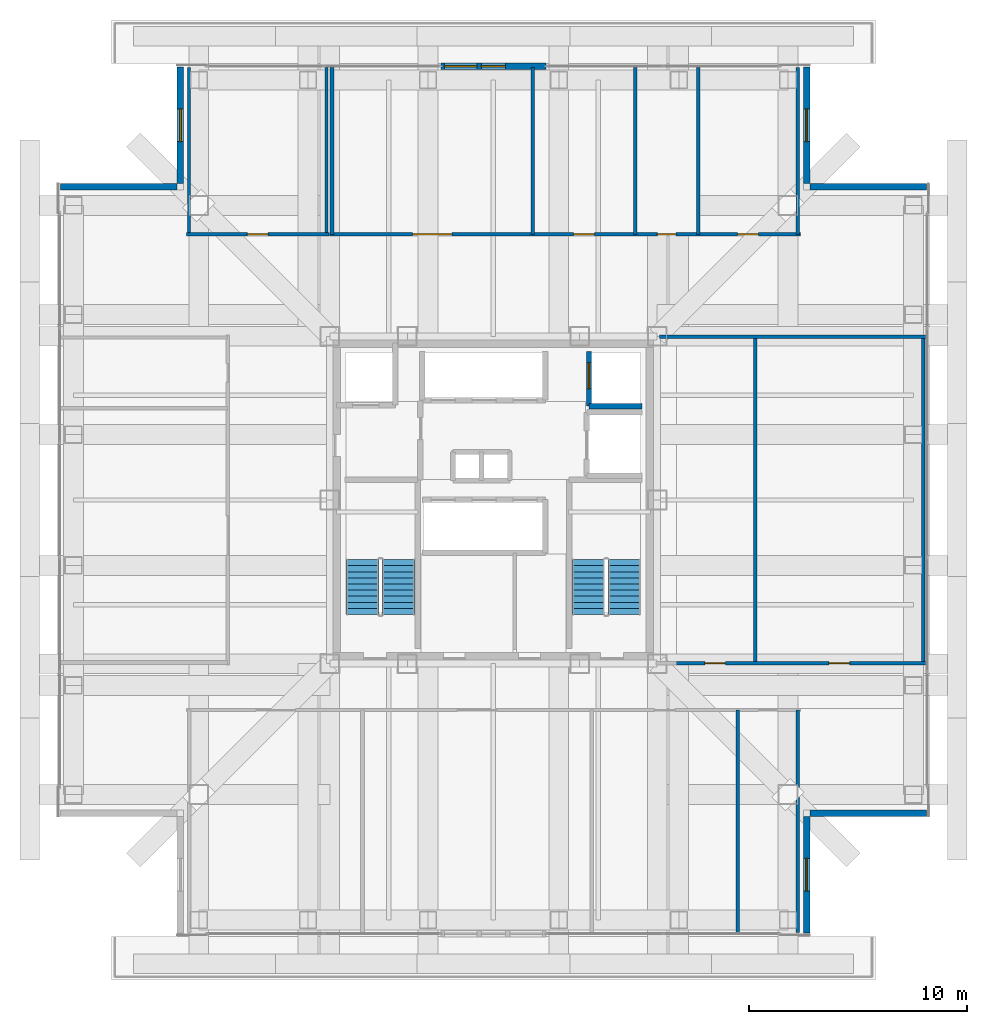
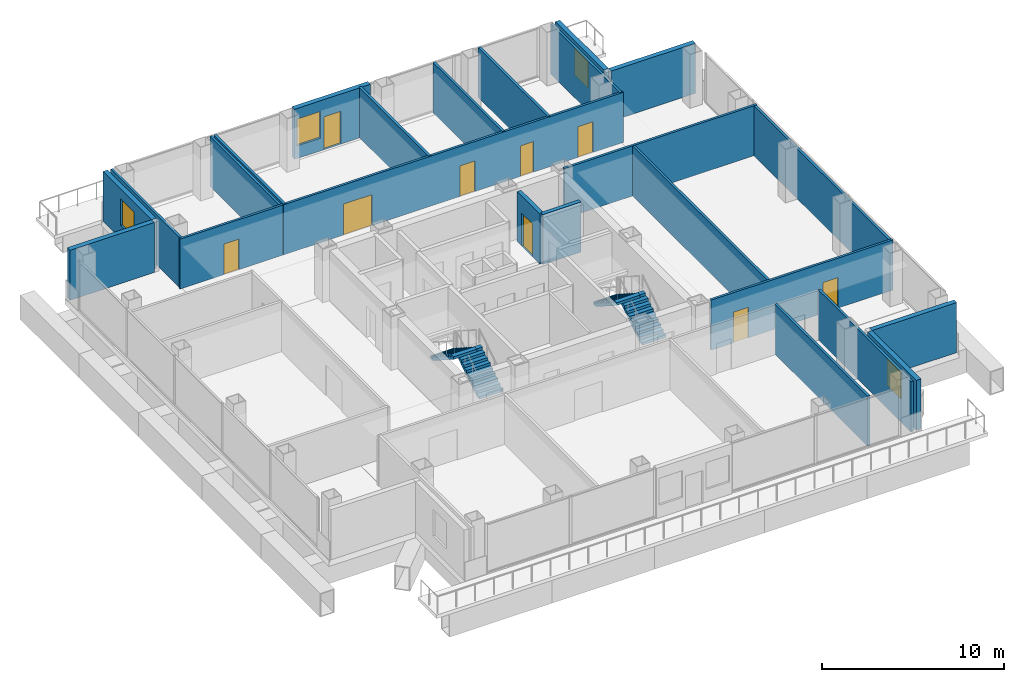
# One storey, part 11 of 14: 24 walls, 9 doors, 4 stair flights, 4 windows, 13 openings, 2 elements without a shape of their own.
"""IFC4 building model written with IfcOpenShell, lengths in metres."""

import ifcopenshell
import ifcopenshell.guid

model = None  # the IFC model being written
_history = None  # IfcOwnerHistory: only IFC2X3 demands one
_inside = {}  # id of a spatial element -> (the spatial element, [elements in it])
_under = {}  # id of a project, library or spatial element -> (it, [spatial elements below it])
_declared = {}  # id of a project -> (the project, [libraries it declares])
_typed = {}  # id of a type object -> (the type object, [elements of that type])
_made_of = {}  # id of a material, layer set ... -> (it, [elements and type objects made of it])


def new_model(schema):
    """Start an empty IFC model of exactly this schema.

    Asked for "IFC4X3", IfcOpenShell would pick the latest addendum, in which some entities
    have other attributes; the version numbers below select the first issue.
    IFC2X3 requires an IfcOwnerHistory on every rooted entity: one is made here for all.
    """
    global model, _history
    if schema == "IFC4X3":
        model = ifcopenshell.file(schema_version=(4, 3, 0, 0))
    else:
        model = ifcopenshell.file(schema=schema)
    _inside.clear()
    _under.clear()
    _declared.clear()
    _typed.clear()
    _made_of.clear()
    _history = None
    if model.schema == "IFC2X3":
        org = make("IfcOrganization", Name="unknown")
        user = make(
            "IfcPersonAndOrganization",
            ThePerson=make("IfcPerson", FamilyName="unknown"),
            TheOrganization=org,
        )
        app = make(
            "IfcApplication",
            ApplicationDeveloper=org,
            Version="unknown",
            ApplicationFullName="unknown",
            ApplicationIdentifier="unknown",
        )
        _history = make(
            "IfcOwnerHistory",
            OwningUser=user,
            OwningApplication=app,
            ChangeAction="ADDED",
            CreationDate=0,
        )
    return model


def make(cls, **values):
    """One entity of the class cls with the attributes given. An attribute that is None is left unset."""
    return model.create_entity(
        cls, **{name: value for name, value in values.items() if value is not None}
    )


def rooted(cls, **values):
    """An entity with a GlobalId (a new one), such as an element, a storey or a relation."""
    return make(cls, GlobalId=ifcopenshell.guid.new(), OwnerHistory=_history, **values)


def si_unit(unit_type, name, prefix=None):
    """IfcSIUnit, for example si_unit("LENGTHUNIT", "METRE", prefix="MILLI")."""
    return make("IfcSIUnit", UnitType=unit_type, Prefix=prefix, Name=name)


def assignment(units):
    """IfcUnitAssignment: the units of a project."""
    return None if units is None else make("IfcUnitAssignment", Units=units)


def point(xyz):
    """IfcCartesianPoint."""
    return None if xyz is None else make("IfcCartesianPoint", Coordinates=xyz)


def direction(xyz):
    """IfcDirection."""
    return None if xyz is None else make("IfcDirection", DirectionRatios=xyz)


def frame(location, z_axis=None, x_axis=None):
    """IfcAxis2Placement3D, a coordinate frame: its origin and axes. An axis left out is left unset."""
    return make(
        "IfcAxis2Placement3D",
        Location=point(location),
        Axis=direction(z_axis),
        RefDirection=direction(x_axis),
    )


def frame_2d(location, x_axis=None):
    """IfcAxis2Placement2D, a coordinate frame in the plane: its origin and x axis."""
    return make(
        "IfcAxis2Placement2D", Location=point(location), RefDirection=direction(x_axis)
    )


def origin():
    """The frame at (0, 0, 0) with its axes left unset."""
    return frame((0.0, 0.0, 0.0))


def place(relative_to, where):
    """IfcLocalPlacement: puts the frame where relative to a parent placement (None: the world)."""
    return make(
        "IfcLocalPlacement", PlacementRelTo=relative_to, RelativePlacement=where
    )


def context(
    kind, dimensions, precision=None, world=None, true_north=None, identifier=None
):
    """IfcGeometricRepresentationContext, for example the 3D "Model" context."""
    return make(
        "IfcGeometricRepresentationContext",
        ContextIdentifier=identifier,
        ContextType=kind,
        CoordinateSpaceDimension=dimensions,
        Precision=precision,
        WorldCoordinateSystem=world,
        TrueNorth=true_north,
    )


def subcontext(parent, identifier, kind, view, scale=None):
    """IfcGeometricRepresentationSubContext, for example "Body" below "Model"."""
    return make(
        "IfcGeometricRepresentationSubContext",
        ContextIdentifier=identifier,
        ContextType=kind,
        ParentContext=parent,
        TargetScale=scale,
        TargetView=view,
    )


def project(units=None, contexts=None):
    """IfcProject with its units and contexts."""
    return rooted(
        "IfcProject",
        Name="project",
        RepresentationContexts=contexts,
        UnitsInContext=assignment(units),
    )


def spatial(cls, under=None, at=None, **own):
    """A site, building, storey or space (cls), placed at a placement, below another one or the project."""
    s = rooted(cls, ObjectPlacement=at, **own)
    if under is not None:
        _under.setdefault(under.id(), (under, []))[1].append(s)
    return s


def polyline(points):
    """IfcPolyline through the points."""
    return make("IfcPolyline", Points=[point(p) for p in points])


def profile(cls, at=None, kind="AREA", **sizes):
    """A parametric profile (cls). Its sizes go by their IFC names, for example OverallWidth=200.0."""
    return make(cls, ProfileType=kind, Position=at, **sizes)


def rectangle(**sizes):
    """IfcRectangleProfileDef."""
    return profile("IfcRectangleProfileDef", **sizes)


def outline(outer, holes=None, kind="AREA"):
    """IfcArbitraryClosedProfileDef: a profile drawn as a closed curve; with holes, ...WithVoids."""
    if holes is None:
        return make("IfcArbitraryClosedProfileDef", ProfileType=kind, OuterCurve=outer)
    return make(
        "IfcArbitraryProfileDefWithVoids",
        ProfileType=kind,
        OuterCurve=outer,
        InnerCurves=holes,
    )


def extrude(swept, where, along, depth):
    """IfcExtrudedAreaSolid: the profile swept, set in the frame where, extruded along a direction by depth."""
    return make(
        "IfcExtrudedAreaSolid",
        SweptArea=swept,
        Position=where,
        ExtrudedDirection=direction(along),
        Depth=depth,
    )


def shape(context_of_items, identifier, shape_type, items):
    """IfcShapeRepresentation: the items that make up one representation, for example the "Body"."""
    return make(
        "IfcShapeRepresentation",
        ContextOfItems=context_of_items,
        RepresentationIdentifier=identifier,
        RepresentationType=shape_type,
        Items=items,
    )


def material(Name=None, Category=None):
    """IfcMaterial."""
    return make("IfcMaterial", Name=Name, Category=Category)


def layer(
    of_material, thickness, ventilated=None, Name=None, Category=None, Priority=None
):
    """IfcMaterialLayer: one layer of a wall or slab, of a material (None: an air gap)."""
    return make(
        "IfcMaterialLayer",
        Material=of_material,
        LayerThickness=thickness,
        IsVentilated=ventilated,
        Name=Name,
        Category=Category,
        Priority=Priority,
    )


def layer_set(layers, Name=None):
    """IfcMaterialLayerSet."""
    return make("IfcMaterialLayerSet", MaterialLayers=layers, LayerSetName=Name)


def made_of(thing, what):
    """Note that an element or type object is made of a material, layer set ...; save() writes the relation."""
    if what is not None:
        _made_of.setdefault(what.id(), (what, []))[1].append(thing)
    return thing


def type_object(cls, material=None, **own):
    """A type object (cls), such as IfcWallType, which elements share."""
    return made_of(rooted(cls, **own), material)


def element(
    cls,
    number,
    at=None,
    inside=None,
    cuts=None,
    type_object=None,
    material=None,
    context=None,
    identifier="Body",
    shape_type=None,
    held_by="IfcProductDefinitionShape",
    body=None,
    shapes=None,
    **own,
):
    """One element of the class cls, such as IfcWall. Its Tag is "e" and its number.

    at: its placement. inside: the storey or other place that contains it. cuts: it is an
    opening in that element (IfcRelVoidsElement). A single representation is given by context,
    identifier, shape_type and body (its items); several are given by shapes. held_by: the class
    of the entity that holds the representations. save() writes the other relations.
    """
    e = rooted(cls, Tag="e%d" % number, ObjectPlacement=at, **own)
    if body is not None:
        shapes = [shape(context, identifier, shape_type, body)]
    if shapes is not None:
        e.Representation = make(held_by, Representations=shapes)
    if inside is not None:
        _inside.setdefault(inside.id(), (inside, []))[1].append(e)
    if cuts is not None:
        rooted(
            "IfcRelVoidsElement", RelatingBuildingElement=cuts, RelatedOpeningElement=e
        )
    if type_object is not None:
        _typed.setdefault(type_object.id(), (type_object, []))[1].append(e)
    return made_of(e, material)


def fill(opening, filler):
    """IfcRelFillsElement: the door or window that sits in an opening."""
    return rooted(
        "IfcRelFillsElement",
        RelatingOpeningElement=opening,
        RelatedBuildingElement=filler,
    )


def aggregate(whole, parts):
    """IfcRelAggregates: a whole, such as a stair, and the parts it consists of."""
    return rooted("IfcRelAggregates", RelatingObject=whole, RelatedObjects=parts)


def save(model, path):
    """Write the relations noted so far, then the file.

    IfcRelAggregates (storeys below a building ...), IfcRelContainedInSpatialStructure (elements
    in a storey), IfcRelDefinesByType, IfcRelAssociatesMaterial and IfcRelDeclares: one each for
    every whole, place, type object, material and project.
    """
    for whole, parts in _under.values():
        aggregate(whole, parts)
    for where, things in _inside.values():
        rooted(
            "IfcRelContainedInSpatialStructure",
            RelatedElements=things,
            RelatingStructure=where,
        )
    for kind, things in _typed.values():
        rooted("IfcRelDefinesByType", RelatedObjects=things, RelatingType=kind)
    for what, things in _made_of.values():
        rooted("IfcRelAssociatesMaterial", RelatedObjects=things, RelatingMaterial=what)
    for by, libraries in _declared.values():
        rooted("IfcRelDeclares", RelatingContext=by, RelatedDefinitions=libraries)
    model.write(path)


model = new_model("IFC4")

# Units and contexts
model_context = context("Model", 3, precision=1e-05, world=origin(), true_north=direction((0.0, 1.0)))
body_context = subcontext(model_context, "Body", "Model", "MODEL_VIEW")
ifc_project = project(units=[si_unit("LENGTHUNIT", "METRE"), si_unit("AREAUNIT", "SQUARE_METRE"), si_unit("VOLUMEUNIT", "CUBIC_METRE"), si_unit("PLANEANGLEUNIT", "RADIAN"), si_unit("MASSUNIT", "GRAM", prefix="KILO")], contexts=[model_context])

# Site, building, storey
site_placement = place(None, origin())
site = spatial("IfcSite", under=ifc_project, at=site_placement, CompositionType="ELEMENT")
building_placement = place(site_placement, origin())
building = spatial("IfcBuilding", under=site, at=building_placement, Name="Trevonay Congress Spire", CompositionType="ELEMENT")
storey_placement = place(building_placement, frame((0.0, 0.0, 166.199951171875)))
storey = spatial("IfcBuildingStorey", under=building, at=storey_placement, Name="L42", CompositionType="ELEMENT", Elevation=166.199951171875)

# Wall, opening, door
ifc_material_1 = material(Name="Concrete C40/50", Category="concrete")
ifc_layer_1 = layer(ifc_material_1, 0.14990234375, Name="Concrete C40/50")
ifc_layer_set_1 = layer_set([ifc_layer_1], Name="Concrete C40/50")
wall_type_1 = type_object("IfcWallType", Name="WAL-CORR-150", PredefinedType="PARTITIONING", material=ifc_layer_set_1)
wall_1_placement = place(storey_placement, frame((-14.070068359375, 12.179931640625, 0.0), z_axis=(0.0, 0.0, 1.0), x_axis=(1.0, 0.0, 0.0)))
wall_1 = element("IfcWall", 1, at=wall_1_placement, inside=storey, type_object=wall_type_1, Name="L42 interior wall WP-L42NW-COR", PredefinedType="PARTITIONING", context=body_context, shape_type="SweptSolid", body=[
    extrude(rectangle(XDim=6.5400390625, YDim=0.14990234375, at=frame_2d((3.27001953125, 0.0))), origin(), (0.0, 0.0, 1.0), 3.360107421875),
])
opening_1_placement = place(wall_1_placement, frame((2.794921875, 0.0, 0.0)))
opening_1 = element("IfcOpeningElement", 2, at=opening_1_placement, cuts=wall_1, Name="Opening D07", PredefinedType="OPENING", context=body_context, shape_type="SweptSolid", body=[
    extrude(rectangle(XDim=0.949951171875, YDim=2.06005859375, at=frame_2d((0.47509765625, 1.030029296875))), frame((0.0, 0.0849609375, 0.0), z_axis=(0.0, -1.0, 0.0), x_axis=(1.0, 0.0, 0.0)), (0.0, 0.0, 1.0), 0.169921875),
])
ifc_material_2 = material(Name="Pale Anodised Aluminium EN AW-6063-T6", Category="aluminium")
door_type_1 = type_object("IfcDoorType", Name="DOR-OFFICE-95", OperationType="NOTDEFINED", PredefinedType="DOOR", material=ifc_material_2)
door_1_placement = place(opening_1_placement, origin())
door_1 = element("IfcDoor", 3, at=door_1_placement, inside=storey, type_object=door_type_1, Name="L42 North-West Viewing Terrace Salon Door", OperationType="SINGLE_SWING_LEFT", OverallHeight=2.06005859375, OverallWidth=0.949951171875, PredefinedType="DOOR", context=body_context, shape_type="SweptSolid", body=[
    extrude(rectangle(XDim=0.949951171875, YDim=2.06005859375, at=frame_2d((0.47509765625, 1.030029296875))), frame((0.0, 0.02490234375, 0.0), z_axis=(0.0, -1.0, 0.0), x_axis=(1.0, 0.0, 0.0)), (0.0, 0.0, 1.0), 0.050048828125),
])
fill(opening_1, door_1)

# Wall, openings, doors
wall_2_placement = place(storey_placement, frame((-7.52001953125, 12.179931640625, 0.0), z_axis=(0.0, 0.0, 1.0), x_axis=(1.0, 0.0, 0.0)))
wall_2 = element("IfcWall", 4, at=wall_2_placement, inside=storey, type_object=wall_type_1, Name="L42 interior wall WP-L42NE-COR", PredefinedType="PARTITIONING", context=body_context, shape_type="SweptSolid", body=[
    extrude(rectangle(XDim=21.590087890625, YDim=0.14990234375, at=frame_2d((10.794921875, 0.0))), origin(), (0.0, 0.0, 1.0), 3.360107421875),
])
opening_2_placement = place(wall_2_placement, frame((3.820068359375, 0.0, 0.0)))
opening_2 = element("IfcOpeningElement", 5, at=opening_2_placement, cuts=wall_2, Name="Opening D09", PredefinedType="OPENING", context=body_context, shape_type="SweptSolid", body=[
    extrude(rectangle(XDim=1.800048828125, YDim=2.080078125, at=frame_2d((0.89990234375, 1.0400390625))), frame((0.0, 0.0849609375, 0.0), z_axis=(0.0, -1.0, 0.0), x_axis=(1.0, 0.0, 0.0)), (0.0, 0.0, 1.0), 0.169921875),
])
opening_3_placement = place(wall_2_placement, frame((11.195068359375, 0.0, 0.0)))
opening_3 = element("IfcOpeningElement", 6, at=opening_3_placement, cuts=wall_2, Name="Opening D07", PredefinedType="OPENING", context=body_context, shape_type="SweptSolid", body=[
    extrude(rectangle(XDim=0.949951171875, YDim=2.06005859375, at=frame_2d((0.47509765625, 1.030029296875))), frame((0.0, 0.0849609375, 0.0), z_axis=(0.0, -1.0, 0.0), x_axis=(1.0, 0.0, 0.0)), (0.0, 0.0, 1.0), 0.169921875),
])
opening_4_placement = place(wall_2_placement, frame((15.034912109375, 0.0, 0.0)))
opening_4 = element("IfcOpeningElement", 7, at=opening_4_placement, cuts=wall_2, Name="Opening D10", PredefinedType="OPENING", context=body_context, shape_type="SweptSolid", body=[
    extrude(rectangle(XDim=0.85009765625, YDim=2.050048828125, at=frame_2d((0.425048828125, 1.02490234375))), frame((0.0, 0.0849609375, 0.0), z_axis=(0.0, -1.0, 0.0), x_axis=(1.0, 0.0, 0.0)), (0.0, 0.0, 1.0), 0.169921875),
])
opening_5_placement = place(wall_2_placement, frame((18.7099609375, 0.0, 0.0)))
opening_5 = element("IfcOpeningElement", 8, at=opening_5_placement, cuts=wall_2, Name="Opening D07", PredefinedType="OPENING", context=body_context, shape_type="SweptSolid", body=[
    extrude(rectangle(XDim=0.949951171875, YDim=2.06005859375, at=frame_2d((0.47509765625, 1.030029296875))), frame((0.0, 0.0849609375, 0.0), z_axis=(0.0, -1.0, 0.0), x_axis=(1.0, 0.0, 0.0)), (0.0, 0.0, 1.0), 0.169921875),
])
door_type_2 = type_object("IfcDoorType", Name="DOR-CONF-DBL", OperationType="DOUBLE_DOOR_SINGLE_SWING", PredefinedType="DOOR", material=ifc_material_2)
door_2_placement = place(opening_2_placement, origin())
door_2 = element("IfcDoor", 9, at=door_2_placement, inside=storey, type_object=door_type_2, Name="L42 Sky-Garden Boardroom Door", OperationType="DOUBLE_DOOR_SINGLE_SWING", OverallHeight=2.080078125, OverallWidth=1.800048828125, PredefinedType="DOOR", context=body_context, shape_type="SweptSolid", body=[
    extrude(rectangle(XDim=1.800048828125, YDim=2.080078125, at=frame_2d((0.89990234375, 1.0400390625))), frame((0.0, 0.02490234375, 0.0), z_axis=(0.0, -1.0, 0.0), x_axis=(1.0, 0.0, 0.0)), (0.0, 0.0, 1.0), 0.050048828125),
])
fill(opening_2, door_2)
door_3_placement = place(opening_3_placement, origin())
door_3 = element("IfcDoor", 10, at=door_3_placement, inside=storey, type_object=door_type_1, Name="L42 Catering Kitchen Door", OperationType="SINGLE_SWING_RIGHT", OverallHeight=2.06005859375, OverallWidth=0.949951171875, PredefinedType="DOOR", context=body_context, shape_type="SweptSolid", body=[
    extrude(rectangle(XDim=0.949951171875, YDim=2.06005859375, at=frame_2d((0.47509765625, 1.030029296875))), frame((0.0, 0.02490234375, 0.0), z_axis=(0.0, -1.0, 0.0), x_axis=(1.0, 0.0, 0.0)), (0.0, 0.0, 1.0), 0.050048828125),
])
fill(opening_3, door_3)
door_4_placement = place(opening_5_placement, origin())
door_4 = element("IfcDoor", 11, at=door_4_placement, inside=storey, type_object=door_type_1, Name="L42 Floor Supplies and Copy Room Door", OperationType="SINGLE_SWING_RIGHT", OverallHeight=2.06005859375, OverallWidth=0.949951171875, PredefinedType="DOOR", context=body_context, shape_type="SweptSolid", body=[
    extrude(rectangle(XDim=0.949951171875, YDim=2.06005859375, at=frame_2d((0.47509765625, 1.030029296875))), frame((0.0, 0.02490234375, 0.0), z_axis=(0.0, -1.0, 0.0), x_axis=(1.0, 0.0, 0.0)), (0.0, 0.0, 1.0), 0.050048828125),
])
fill(opening_5, door_4)
door_type_3 = type_object("IfcDoorType", Name="DOR-WC-85", OperationType="NOTDEFINED", PredefinedType="DOOR", material=ifc_material_2)
door_5_placement = place(opening_4_placement, origin())
door_5 = element("IfcDoor", 12, at=door_5_placement, inside=storey, type_object=door_type_3, Name="L42 Female Restroom WC Door", OperationType="SINGLE_SWING_LEFT", OverallHeight=2.050048828125, OverallWidth=0.85009765625, PredefinedType="DOOR", context=body_context, shape_type="SweptSolid", body=[
    extrude(rectangle(XDim=0.85009765625, YDim=2.050048828125, at=frame_2d((0.425048828125, 1.02490234375))), frame((0.0, 0.02490234375, 0.0), z_axis=(0.0, -1.0, 0.0), x_axis=(1.0, 0.0, 0.0)), (0.0, 0.0, 1.0), 0.050048828125),
])
fill(opening_4, door_5)

wall_3_placement = place(storey_placement, frame((8.280029296875, -7.47998046875, 0.0), z_axis=(0.0, 0.0, 1.0), x_axis=(1.0, 0.0, 0.0)))
wall_3 = element("IfcWall", 13, at=wall_3_placement, inside=storey, type_object=wall_type_1, Name="L42 interior wall WP-L42E-COR", PredefinedType="PARTITIONING", context=body_context, shape_type="SweptSolid", body=[
    extrude(rectangle(XDim=11.5400390625, YDim=0.14990234375, at=frame_2d((5.77001953125, 0.0))), origin(), (0.0, 0.0, 1.0), 3.360107421875),
])
opening_6_placement = place(wall_3_placement, frame((1.405029296875, 0.0, 0.0)))
opening_6 = element("IfcOpeningElement", 14, at=opening_6_placement, cuts=wall_3, Name="Opening D07", PredefinedType="OPENING", context=body_context, shape_type="SweptSolid", body=[
    extrude(rectangle(XDim=0.949951171875, YDim=2.06005859375, at=frame_2d((0.47509765625, 1.030029296875))), frame((0.0, 0.0849609375, 0.0), z_axis=(0.0, -1.0, 0.0), x_axis=(1.0, 0.0, 0.0)), (0.0, 0.0, 1.0), 0.169921875),
])
opening_7_placement = place(wall_3_placement, frame((7.094970703125, 0.0, 0.0)))
opening_7 = element("IfcOpeningElement", 15, at=opening_7_placement, cuts=wall_3, Name="Opening D07", PredefinedType="OPENING", context=body_context, shape_type="SweptSolid", body=[
    extrude(rectangle(XDim=0.949951171875, YDim=2.06005859375, at=frame_2d((0.47509765625, 1.030029296875))), frame((0.0, 0.0849609375, 0.0), z_axis=(0.0, -1.0, 0.0), x_axis=(1.0, 0.0, 0.0)), (0.0, 0.0, 1.0), 0.169921875),
])
door_6_placement = place(opening_6_placement, origin())
door_6 = element("IfcDoor", 16, at=door_6_placement, inside=storey, type_object=door_type_1, Name="L42 Corporate Reception Office Door", OperationType="SINGLE_SWING_LEFT", OverallHeight=2.06005859375, OverallWidth=0.949951171875, PredefinedType="DOOR", context=body_context, shape_type="SweptSolid", body=[
    extrude(rectangle(XDim=0.949951171875, YDim=2.06005859375, at=frame_2d((0.47509765625, 1.030029296875))), frame((0.0, 0.02490234375, 0.0), z_axis=(0.0, -1.0, 0.0), x_axis=(1.0, 0.0, 0.0)), (0.0, 0.0, 1.0), 0.050048828125),
])
fill(opening_6, door_6)
door_7_placement = place(opening_7_placement, origin())
door_7 = element("IfcDoor", 17, at=door_7_placement, inside=storey, type_object=door_type_1, Name="L42 Courier Mailroom Door", OperationType="SINGLE_SWING_RIGHT", OverallHeight=2.06005859375, OverallWidth=0.949951171875, PredefinedType="DOOR", context=body_context, shape_type="SweptSolid", body=[
    extrude(rectangle(XDim=0.949951171875, YDim=2.06005859375, at=frame_2d((0.47509765625, 1.030029296875))), frame((0.0, 0.02490234375, 0.0), z_axis=(0.0, -1.0, 0.0), x_axis=(1.0, 0.0, 0.0)), (0.0, 0.0, 1.0), 0.050048828125),
])
fill(opening_7, door_7)

# Wall, openings, door, window
ifc_material_3 = material(Name="Precast concrete C40/50", Category="concrete")
ifc_layer_2 = layer(ifc_material_3, 0.300048828125, Name="Precast concrete C40/50")
ifc_layer_set_2 = layer_set([ifc_layer_2], Name="Precast concrete C40/50")
wall_type_2 = type_object("IfcWallType", Name="WAL-EXT-PRECAST-300", PredefinedType="SOLIDWALL", material=ifc_layer_set_2)
wall_4_placement = place(storey_placement, frame((-2.39990234375, 19.8798828125, 0.0), z_axis=(0.0, 0.0, 1.0), x_axis=(1.0, 0.0, 0.0)))
wall_4 = element("IfcWall", 18, at=wall_4_placement, inside=storey, type_object=wall_type_2, Name="L42 N glazed balcony portal exterior wall", PredefinedType="SOLIDWALL", context=body_context, shape_type="SweptSolid", body=[
    extrude(rectangle(XDim=4.7998046875, YDim=0.300048828125, at=frame_2d((2.39990234375, 0.0))), origin(), (0.0, 0.0, 1.0), 3.360107421875),
])
opening_8_placement = place(wall_4_placement, frame((1.85009765625, 0.0, 0.0)))
opening_8 = element("IfcOpeningElement", 19, at=opening_8_placement, cuts=wall_4, Name="Opening D03", PredefinedType="OPENING", context=body_context, shape_type="SweptSolid", body=[
    extrude(rectangle(XDim=1.10009765625, YDim=2.199951171875, at=frame_2d((0.550048828125, 1.10009765625))), frame((0.0, 0.16015625, 0.0), z_axis=(0.0, -1.0, 0.0), x_axis=(1.0, 0.0, 0.0)), (0.0, 0.0, 1.0), 0.320068359375),
])
opening_9_placement = place(wall_4_placement, frame((0.14990234375, 0.0, 0.85009765625)))
opening_9 = element("IfcOpeningElement", 20, at=opening_9_placement, cuts=wall_4, Name="Opening WN03", PredefinedType="OPENING", context=body_context, shape_type="SweptSolid", body=[
    extrude(rectangle(XDim=1.5, YDim=1.800048828125, at=frame_2d((0.75, 0.89990234375))), frame((0.0, 0.16015625, 0.0), z_axis=(0.0, -1.0, 0.0), x_axis=(1.0, 0.0, 0.0)), (0.0, 0.0, 1.0), 0.320068359375),
])
door_type_4 = type_object("IfcDoorType", Name="DOR-EXT-BAL-110", OperationType="NOTDEFINED", PredefinedType="DOOR", material=ifc_material_2)
door_8_placement = place(opening_8_placement, origin())
door_8 = element("IfcDoor", 21, at=door_8_placement, inside=storey, type_object=door_type_4, Name="L42 N glazed outdoor terrace and balcony door", OperationType="SINGLE_SWING_RIGHT", OverallHeight=2.199951171875, OverallWidth=1.10009765625, PredefinedType="DOOR", context=body_context, shape_type="SweptSolid", body=[
    extrude(rectangle(XDim=1.10009765625, YDim=2.199951171875, at=frame_2d((0.550048828125, 1.10009765625))), frame((0.0, 0.02490234375, 0.0), z_axis=(0.0, -1.0, 0.0), x_axis=(1.0, 0.0, 0.0)), (0.0, 0.0, 1.0), 0.050048828125),
])
fill(opening_8, door_8)
ifc_material_4 = material(Name="Insulated Low-E Vision Glass IGU", Category="glass")
window_type = type_object("IfcWindowType", Name="WIN-NOTCH-150X180", PartitioningType="SINGLE_PANEL", PredefinedType="WINDOW", material=ifc_material_4)
window_1_placement = place(opening_9_placement, origin())
window_1 = element("IfcWindow", 22, at=window_1_placement, inside=storey, type_object=window_type, Name="L42 N balcony sidelight window L", OverallHeight=1.800048828125, OverallWidth=1.5, PartitioningType="SINGLE_PANEL", PredefinedType="WINDOW", context=body_context, shape_type="SweptSolid", body=[
    extrude(rectangle(XDim=1.5, YDim=1.800048828125, at=frame_2d((0.75, 0.89990234375))), frame((0.0, 0.030029296875, 0.0), z_axis=(0.0, -1.0, 0.0), x_axis=(1.0, 0.0, 0.0)), (0.0, 0.0, 1.0), 0.06005859375),
])
fill(opening_9, window_1)

# Wall, opening, window
wall_5_placement = place(storey_placement, frame((14.35009765625, -19.85009765625, 0.0), z_axis=(0.0, 0.0, 1.0), x_axis=(0.0, 1.0, 0.0)))
wall_5 = element("IfcWall", 23, at=wall_5_placement, inside=storey, type_object=wall_type_2, Name="L42 SE re-entrant notch exterior wall 1", PredefinedType="SOLIDWALL", context=body_context, shape_type="SweptSolid", body=[
    extrude(rectangle(XDim=5.35009765625, YDim=0.300048828125, at=frame_2d((2.675048828125, 0.0))), origin(), (0.0, 0.0, 1.0), 3.360107421875),
])
opening_10_placement = place(wall_5_placement, frame((1.925048828125, 0.0, 0.89990234375)))
opening_10 = element("IfcOpeningElement", 24, at=opening_10_placement, cuts=wall_5, Name="Opening WN03", PredefinedType="OPENING", context=body_context, shape_type="SweptSolid", body=[
    extrude(rectangle(XDim=1.5, YDim=1.800048828125, at=frame_2d((0.75, 0.89990234375))), frame((0.0, 0.16015625, 0.0), z_axis=(0.0, -1.0, 0.0), x_axis=(1.0, 0.0, 0.0)), (0.0, 0.0, 1.0), 0.320068359375),
])
window_2_placement = place(opening_10_placement, origin())
window_2 = element("IfcWindow", 25, at=window_2_placement, inside=storey, type_object=window_type, Name="L42 SE corner notch window", OverallHeight=1.800048828125, OverallWidth=1.5, PartitioningType="SINGLE_PANEL", PredefinedType="WINDOW", context=body_context, shape_type="SweptSolid", body=[
    extrude(rectangle(XDim=1.5, YDim=1.800048828125, at=frame_2d((0.75, 0.89990234375))), frame((0.0, 0.030029296875, 0.0), z_axis=(0.0, -1.0, 0.0), x_axis=(1.0, 0.0, 0.0)), (0.0, 0.0, 1.0), 0.06005859375),
])
fill(opening_10, window_2)

# Wall
wall_6_placement = place(storey_placement, frame((19.85009765625, -14.35009765625, 0.0), z_axis=(0.0, 0.0, 1.0), x_axis=(-1.0, 0.0, 0.0)))
element("IfcWall", 26, at=wall_6_placement, inside=storey, type_object=wall_type_2, Name="L42 SE re-entrant notch exterior wall 2", PredefinedType="SOLIDWALL", context=body_context, shape_type="SweptSolid", body=[
    extrude(rectangle(XDim=5.35009765625, YDim=0.300048828125, at=frame_2d((2.675048828125, 0.0))), origin(), (0.0, 0.0, 1.0), 3.360107421875),
])

# Wall, opening, window
wall_7_placement = place(storey_placement, frame((14.35009765625, 19.85009765625, 0.0), z_axis=(0.0, 0.0, 1.0), x_axis=(0.0, -1.0, 0.0)))
wall_7 = element("IfcWall", 27, at=wall_7_placement, inside=storey, type_object=wall_type_2, Name="L42 NE re-entrant notch exterior wall 1", PredefinedType="SOLIDWALL", context=body_context, shape_type="SweptSolid", body=[
    extrude(rectangle(XDim=5.35009765625, YDim=0.300048828125, at=frame_2d((2.675048828125, 0.0))), origin(), (0.0, 0.0, 1.0), 3.360107421875),
])
opening_11_placement = place(wall_7_placement, frame((1.925048828125, 0.0, 0.89990234375)))
opening_11 = element("IfcOpeningElement", 28, at=opening_11_placement, cuts=wall_7, Name="Opening WN03", PredefinedType="OPENING", context=body_context, shape_type="SweptSolid", body=[
    extrude(rectangle(XDim=1.5, YDim=1.800048828125, at=frame_2d((0.75, 0.89990234375))), frame((0.0, 0.16015625, 0.0), z_axis=(0.0, -1.0, 0.0), x_axis=(1.0, 0.0, 0.0)), (0.0, 0.0, 1.0), 0.320068359375),
])
window_3_placement = place(opening_11_placement, origin())
window_3 = element("IfcWindow", 29, at=window_3_placement, inside=storey, type_object=window_type, Name="L42 NE corner notch window", OverallHeight=1.800048828125, OverallWidth=1.5, PartitioningType="SINGLE_PANEL", PredefinedType="WINDOW", context=body_context, shape_type="SweptSolid", body=[
    extrude(rectangle(XDim=1.5, YDim=1.800048828125, at=frame_2d((0.75, 0.89990234375))), frame((0.0, 0.030029296875, 0.0), z_axis=(0.0, -1.0, 0.0), x_axis=(1.0, 0.0, 0.0)), (0.0, 0.0, 1.0), 0.06005859375),
])
fill(opening_11, window_3)

# Wall
wall_8_placement = place(storey_placement, frame((19.85009765625, 14.35009765625, 0.0), z_axis=(0.0, 0.0, 1.0), x_axis=(-1.0, 0.0, 0.0)))
element("IfcWall", 30, at=wall_8_placement, inside=storey, type_object=wall_type_2, Name="L42 NE re-entrant notch exterior wall 2", PredefinedType="SOLIDWALL", context=body_context, shape_type="SweptSolid", body=[
    extrude(rectangle(XDim=5.35009765625, YDim=0.300048828125, at=frame_2d((2.675048828125, 0.0))), origin(), (0.0, 0.0, 1.0), 3.360107421875),
])

# Wall, opening, window
wall_9_placement = place(storey_placement, frame((-14.35009765625, 19.85009765625, 0.0), z_axis=(0.0, 0.0, 1.0), x_axis=(0.0, -1.0, 0.0)))
wall_9 = element("IfcWall", 31, at=wall_9_placement, inside=storey, type_object=wall_type_2, Name="L42 NW re-entrant notch exterior wall 1", PredefinedType="SOLIDWALL", context=body_context, shape_type="SweptSolid", body=[
    extrude(rectangle(XDim=5.35009765625, YDim=0.300048828125, at=frame_2d((2.675048828125, 0.0))), origin(), (0.0, 0.0, 1.0), 3.360107421875),
])
opening_12_placement = place(wall_9_placement, frame((1.925048828125, 0.0, 0.89990234375)))
opening_12 = element("IfcOpeningElement", 32, at=opening_12_placement, cuts=wall_9, Name="Opening WN03", PredefinedType="OPENING", context=body_context, shape_type="SweptSolid", body=[
    extrude(rectangle(XDim=1.5, YDim=1.800048828125, at=frame_2d((0.75, 0.89990234375))), frame((0.0, 0.16015625, 0.0), z_axis=(0.0, -1.0, 0.0), x_axis=(1.0, 0.0, 0.0)), (0.0, 0.0, 1.0), 0.320068359375),
])
window_4_placement = place(opening_12_placement, origin())
window_4 = element("IfcWindow", 33, at=window_4_placement, inside=storey, type_object=window_type, Name="L42 NW corner notch window", OverallHeight=1.800048828125, OverallWidth=1.5, PartitioningType="SINGLE_PANEL", PredefinedType="WINDOW", context=body_context, shape_type="SweptSolid", body=[
    extrude(rectangle(XDim=1.5, YDim=1.800048828125, at=frame_2d((0.75, 0.89990234375))), frame((0.0, 0.030029296875, 0.0), z_axis=(0.0, -1.0, 0.0), x_axis=(1.0, 0.0, 0.0)), (0.0, 0.0, 1.0), 0.06005859375),
])
fill(opening_12, window_4)

# Walls
wall_10_placement = place(storey_placement, frame((-19.85009765625, 14.35009765625, 0.0), z_axis=(0.0, 0.0, 1.0), x_axis=(1.0, 0.0, 0.0)))
element("IfcWall", 34, at=wall_10_placement, inside=storey, type_object=wall_type_2, Name="L42 NW re-entrant notch exterior wall 2", PredefinedType="SOLIDWALL", context=body_context, shape_type="SweptSolid", body=[
    extrude(rectangle(XDim=5.35009765625, YDim=0.300048828125, at=frame_2d((2.675048828125, 0.0))), origin(), (0.0, 0.0, 1.0), 3.360107421875),
])
ifc_layer_3 = layer(ifc_material_1, 0.14990234375, Name="Concrete C40/50")
ifc_layer_set_3 = layer_set([ifc_layer_3], Name="Concrete C40/50")
wall_type_3 = type_object("IfcWallType", Name="WAL-PART-150", PredefinedType="PARTITIONING", material=ifc_layer_set_3)
for number, where, z_axis, x_axis, name in (
    (35, (11.199951171875, -19.820068359375, 0.0), (0.0, 0.0, 1.0), (0.0, 1.0, 0.0), "L42 interior wall WP-L42S-DIV4"),
    (36, (13.949951171875, -19.820068359375, 0.0), (0.0, 0.0, 1.0), (0.0, 1.0, 0.0), "L42 interior wall WP-L42S-DIV5"),
):
    element("IfcWall", number, at=place(storey_placement, frame(where, z_axis=z_axis, x_axis=x_axis)), inside=storey, type_object=wall_type_3, Name=name, PredefinedType="PARTITIONING", context=body_context, shape_type="SweptSolid", body=[
        extrude(rectangle(XDim=10.190185546875, YDim=0.14990234375, at=frame_2d((5.09521484375, 0.0))), origin(), (0.0, 0.0, 1.0), 3.360107421875),
    ])
for number, where, z_axis, x_axis, name in (
    (37, (-13.949951171875, 12.179931640625, 0.0), (0.0, 0.0, 1.0), (0.0, 1.0, 0.0), "L42 interior wall WP-L42NW-DIV1"),
    (38, (-7.64990234375, 12.179931640625, 0.0), (0.0, 0.0, 1.0), (0.0, 1.0, 0.0), "L42 interior wall WP-L42NW-DIV2"),
    (39, (6.5, 12.179931640625, 0.0), (0.0, 0.0, 1.0), (0.0, 1.0, 0.0), "L42 interior wall WP-L42NE-DIV3"),
    (40, (13.949951171875, 12.179931640625, 0.0), (0.0, 0.0, 1.0), (0.0, 1.0, 0.0), "L42 interior wall WP-L42NE-DIV4"),
):
    element("IfcWall", number, at=place(storey_placement, frame(where, z_axis=z_axis, x_axis=x_axis)), inside=storey, type_object=wall_type_3, Name=name, PredefinedType="PARTITIONING", context=body_context, shape_type="SweptSolid", body=[
        extrude(rectangle(XDim=7.64013671875, YDim=0.14990234375, at=frame_2d((3.820068359375, 0.0))), origin(), (0.0, 0.0, 1.0), 3.360107421875),
    ])
for number, where, z_axis, x_axis, name in (
    (41, (12.0, -7.47998046875, 0.0), (0.0, 0.0, 1.0), (0.0, 1.0, 0.0), "L42 interior wall WP-L42E-DIV1"),
    (42, (19.699951171875, -7.47998046875, 0.0), (0.0, 0.0, 1.0), (0.0, 1.0, 0.0), "L42 interior wall WP-L42E-DIV2"),
):
    element("IfcWall", number, at=place(storey_placement, frame(where, z_axis=z_axis, x_axis=x_axis)), inside=storey, type_object=wall_type_3, Name=name, PredefinedType="PARTITIONING", context=body_context, shape_type="SweptSolid", body=[
        extrude(rectangle(XDim=14.8798828125, YDim=0.14990234375, at=frame_2d((7.43994140625, 0.0))), origin(), (0.0, 0.0, 1.0), 3.360107421875),
    ])
wall_11_placement = place(storey_placement, frame((7.60009765625, 7.47998046875, 0.0), z_axis=(0.0, 0.0, 1.0), x_axis=(1.0, 0.0, 0.0)))
element("IfcWall", 43, at=wall_11_placement, inside=storey, type_object=wall_type_3, Name="L42 interior wall WP-L42E-NCLS", PredefinedType="PARTITIONING", context=body_context, shape_type="SweptSolid", body=[
    extrude(rectangle(XDim=12.219970703125, YDim=0.14990234375, at=frame_2d((6.10986328125, 0.0))), origin(), (0.0, 0.0, 1.0), 3.360107421875),
])
ifc_layer_4 = layer(ifc_material_1, 0.25, Name="Concrete C40/50")
ifc_layer_set_4 = layer_set([ifc_layer_4], Name="Concrete C40/50")
wall_type_4 = type_object("IfcWallType", Name="WAL-SHAFT-250", PredefinedType="SHEAR", material=ifc_layer_set_4)
wall_12_placement = place(storey_placement, frame((4.3798828125, 4.300048828125, 0.0), z_axis=(0.0, 0.0, 1.0), x_axis=(1.0, 0.0, 0.0)))
element("IfcWall", 44, at=wall_12_placement, inside=storey, type_object=wall_type_4, Name="L42 interior shaft wall WSH-L42-FF2-S", PredefinedType="SHEAR", context=body_context, shape_type="SweptSolid", body=[
    extrude(rectangle(XDim=2.420166015625, YDim=0.25, at=frame_2d((1.2099609375, 0.0))), origin(), (0.0, 0.0, 1.0), 3.360107421875),
])

# Wall, opening, door
wall_13_placement = place(storey_placement, frame((4.3798828125, 4.300048828125, 0.0), z_axis=(0.0, 0.0, 1.0), x_axis=(0.0, 1.0, 0.0)))
wall_13 = element("IfcWall", 45, at=wall_13_placement, inside=storey, type_object=wall_type_4, Name="L42 interior shaft wall WSH-L42-FF2-W", PredefinedType="SHEAR", context=body_context, shape_type="SweptSolid", body=[
    extrude(rectangle(XDim=2.5, YDim=0.25, at=frame_2d((1.25, 0.0))), origin(), (0.0, 0.0, 1.0), 3.360107421875),
])
opening_13_placement = place(wall_13_placement, frame((0.800048828125, 0.0, 0.0)))
opening_13 = element("IfcOpeningElement", 46, at=opening_13_placement, cuts=wall_13, Name="Opening LD04", PredefinedType="OPENING", context=body_context, shape_type="SweptSolid", body=[
    extrude(rectangle(XDim=1.199951171875, YDim=2.199951171875, at=frame_2d((0.60009765625, 1.10009765625))), frame((0.0, 0.135009765625, 0.0), z_axis=(0.0, -1.0, 0.0), x_axis=(1.0, 0.0, 0.0)), (0.0, 0.0, 1.0), 0.27001953125),
])
ifc_material_5 = material(Name="Steel ASTM A572 Grade 50", Category="steel")
door_type_5 = type_object("IfcDoorType", Name="DOR-LIFT-LD04", OperationType="DOUBLE_DOOR_SLIDING", PredefinedType="DOOR", material=ifc_material_5)
door_9_placement = place(opening_13_placement, origin())
door_9 = element("IfcDoor", 47, at=door_9_placement, inside=storey, type_object=door_type_5, Name="L42 Firefighting lift FFL-02 landing door", OperationType="DOUBLE_DOOR_SLIDING", OverallHeight=2.199951171875, OverallWidth=1.199951171875, PredefinedType="DOOR", context=body_context, shape_type="SweptSolid", body=[
    extrude(rectangle(XDim=1.199951171875, YDim=2.199951171875, at=frame_2d((0.60009765625, 1.10009765625))), frame((0.0, 0.02490234375, 0.0), z_axis=(0.0, -1.0, 0.0), x_axis=(1.0, 0.0, 0.0)), (0.0, 0.0, 1.0), 0.050048828125),
])
fill(opening_13, door_9)

# Walls
ifc_layer_5 = layer(ifc_material_1, 0.1650390625, Name="Concrete C40/50")
ifc_layer_set_5 = layer_set([ifc_layer_5], Name="Concrete C40/50")
wall_type_5 = type_object("IfcWallType", Name="WAL-WET-165", PredefinedType="PLUMBINGWALL", material=ifc_layer_set_5)
for number, where, z_axis, x_axis, name in (
    (48, (9.3798828125, 12.179931640625, 0.0), (0.0, 0.0, 1.0), (0.0, 1.0, 0.0), "L42 interior wall WP-L42NE-WCS3"),
    (49, (-7.39990234375, 12.179931640625, 0.0), (0.0, 0.0, 1.0), (0.0, 1.0, 0.0), "L42 interior wall WP-L42NE-DIV1"),
    (50, (1.800048828125, 12.179931640625, 0.0), (0.0, 0.0, 1.0), (0.0, 1.0, 0.0), "L42 interior wall WP-L42NE-DIV2"),
):
    element("IfcWall", number, at=place(storey_placement, frame(where, z_axis=z_axis, x_axis=x_axis)), inside=storey, type_object=wall_type_5, Name=name, PredefinedType="PLUMBINGWALL", context=body_context, shape_type="SweptSolid", body=[
        extrude(rectangle(XDim=7.64013671875, YDim=0.1650390625, at=frame_2d((3.820068359375, 0.0))), origin(), (0.0, 0.0, 1.0), 3.360107421875),
    ])

# Stair, stair flights
stair_type_1 = type_object("IfcStairType", Name="STR-ST-1", PredefinedType="HALF_TURN_STAIR", material=ifc_material_1)
stair_1_placement = place(storey_placement, origin())
stair_1 = element("IfcStair", 51, at=stair_1_placement, inside=storey, type_object=stair_type_1, Name="L42 Protected Exit Stair ST-1", PredefinedType="HALF_TURN_STAIR")
stair_flight_type_1 = type_object("IfcStairFlightType", Name="SFL-ST-1", PredefinedType="STRAIGHT", material=ifc_material_1)
stair_flight_1_placement = place(storey_placement, frame((-4.35009765625, -5.25, 0.0), z_axis=(0.0, 0.0, 1.0), x_axis=(0.0, 1.0, 0.0)))
stair_flight_1 = element("IfcStairFlight", 52, at=stair_flight_1_placement, type_object=stair_flight_type_1, Name="ST-1 flight 1", NumberOfRisers=10, NumberOfTreads=9, PredefinedType="STRAIGHT", RiserHeight=0.18, TreadLength=0.28, context=body_context, shape_type="SweptSolid", body=[
    extrude(outline(polyline([(0.0, 0.0), (0.0, 0.179931640625), (0.280029296875, 0.179931640625), (0.280029296875, 0.360107421875), (0.56005859375, 0.360107421875), (0.56005859375, 0.5400390625), (0.840087890625, 0.5400390625), (0.840087890625, 0.719970703125), (1.1201171875, 0.719970703125), (1.1201171875, 0.89990234375), (1.39990234375, 0.89990234375), (1.39990234375, 1.080078125), (1.679931640625, 1.080078125), (1.679931640625, 1.260009765625), (1.9599609375, 1.260009765625), (1.9599609375, 1.43994140625), (2.239990234375, 1.43994140625), (2.239990234375, 1.6201171875), (2.52001953125, 1.6201171875), (2.52001953125, 1.800048828125), (2.52001953125, 1.44189453125), (0.277099609375, 0.0), (0.0, 0.0)])), frame((0.0, 0.75, 0.0), z_axis=(0.0, -1.0, 0.0), x_axis=(1.0, 0.0, 0.0)), (0.0, 0.0, 1.0), 1.5),
])
stair_flight_2_placement = place(storey_placement, frame((-6.0, -2.72998046875, 1.800048828125), z_axis=(0.0, 0.0, 1.0), x_axis=(0.0, -1.0, 0.0)))
stair_flight_2 = element("IfcStairFlight", 53, at=stair_flight_2_placement, type_object=stair_flight_type_1, Name="ST-1 flight 2", NumberOfRisers=10, NumberOfTreads=9, PredefinedType="STRAIGHT", RiserHeight=0.18, TreadLength=0.28, context=body_context, shape_type="SweptSolid", body=[
    extrude(outline(polyline([(0.0, 0.0), (0.0, 0.179931640625), (0.280029296875, 0.179931640625), (0.280029296875, 0.360107421875), (0.56005859375, 0.360107421875), (0.56005859375, 0.5400390625), (0.840087890625, 0.5400390625), (0.840087890625, 0.719970703125), (1.1201171875, 0.719970703125), (1.1201171875, 0.89990234375), (1.39990234375, 0.89990234375), (1.39990234375, 1.080078125), (1.679931640625, 1.080078125), (1.679931640625, 1.260009765625), (1.9599609375, 1.260009765625), (1.9599609375, 1.43994140625), (2.239990234375, 1.43994140625), (2.239990234375, 1.6201171875), (2.52001953125, 1.6201171875), (2.52001953125, 1.800048828125), (2.52001953125, 1.44189453125), (0.277099609375, 0.0), (0.0, 0.0)])), frame((0.0, 0.75, 0.0), z_axis=(0.0, -1.0, 0.0), x_axis=(1.0, 0.0, 0.0)), (0.0, 0.0, 1.0), 1.5),
])
aggregate(stair_1, [stair_flight_1, stair_flight_2])

stair_type_2 = type_object("IfcStairType", Name="STR-ST-2", PredefinedType="HALF_TURN_STAIR", material=ifc_material_1)
stair_2_placement = place(storey_placement, origin())
stair_2 = element("IfcStair", 54, at=stair_2_placement, inside=storey, type_object=stair_type_2, Name="L42 Protected Exit Stair ST-2", PredefinedType="HALF_TURN_STAIR")
stair_flight_type_2 = type_object("IfcStairFlightType", Name="SFL-ST-2", PredefinedType="STRAIGHT", material=ifc_material_1)
stair_flight_3_placement = place(storey_placement, frame((6.0, -5.25, 0.0), z_axis=(0.0, 0.0, 1.0), x_axis=(0.0, 1.0, 0.0)))
stair_flight_3 = element("IfcStairFlight", 55, at=stair_flight_3_placement, type_object=stair_flight_type_2, Name="ST-2 flight 1", NumberOfRisers=10, NumberOfTreads=9, PredefinedType="STRAIGHT", RiserHeight=0.18, TreadLength=0.28, context=body_context, shape_type="SweptSolid", body=[
    extrude(outline(polyline([(0.0, 0.0), (0.0, 0.179931640625), (0.280029296875, 0.179931640625), (0.280029296875, 0.360107421875), (0.56005859375, 0.360107421875), (0.56005859375, 0.5400390625), (0.840087890625, 0.5400390625), (0.840087890625, 0.719970703125), (1.1201171875, 0.719970703125), (1.1201171875, 0.89990234375), (1.39990234375, 0.89990234375), (1.39990234375, 1.080078125), (1.679931640625, 1.080078125), (1.679931640625, 1.260009765625), (1.9599609375, 1.260009765625), (1.9599609375, 1.43994140625), (2.239990234375, 1.43994140625), (2.239990234375, 1.6201171875), (2.52001953125, 1.6201171875), (2.52001953125, 1.800048828125), (2.52001953125, 1.44189453125), (0.277099609375, 0.0), (0.0, 0.0)])), frame((0.0, 0.75, 0.0), z_axis=(0.0, -1.0, 0.0), x_axis=(1.0, 0.0, 0.0)), (0.0, 0.0, 1.0), 1.5),
])
stair_flight_4_placement = place(storey_placement, frame((4.35009765625, -2.72998046875, 1.800048828125), z_axis=(0.0, 0.0, 1.0), x_axis=(0.0, -1.0, 0.0)))
stair_flight_4 = element("IfcStairFlight", 56, at=stair_flight_4_placement, type_object=stair_flight_type_2, Name="ST-2 flight 2", NumberOfRisers=10, NumberOfTreads=9, PredefinedType="STRAIGHT", RiserHeight=0.18, TreadLength=0.28, context=body_context, shape_type="SweptSolid", body=[
    extrude(outline(polyline([(0.0, 0.0), (0.0, 0.179931640625), (0.280029296875, 0.179931640625), (0.280029296875, 0.360107421875), (0.56005859375, 0.360107421875), (0.56005859375, 0.5400390625), (0.840087890625, 0.5400390625), (0.840087890625, 0.719970703125), (1.1201171875, 0.719970703125), (1.1201171875, 0.89990234375), (1.39990234375, 0.89990234375), (1.39990234375, 1.080078125), (1.679931640625, 1.080078125), (1.679931640625, 1.260009765625), (1.9599609375, 1.260009765625), (1.9599609375, 1.43994140625), (2.239990234375, 1.43994140625), (2.239990234375, 1.6201171875), (2.52001953125, 1.6201171875), (2.52001953125, 1.800048828125), (2.52001953125, 1.44189453125), (0.277099609375, 0.0), (0.0, 0.0)])), frame((0.0, 0.75, 0.0), z_axis=(0.0, -1.0, 0.0), x_axis=(1.0, 0.0, 0.0)), (0.0, 0.0, 1.0), 1.5),
])
aggregate(stair_2, [stair_flight_3, stair_flight_4])

save(model, "model.ifc")
